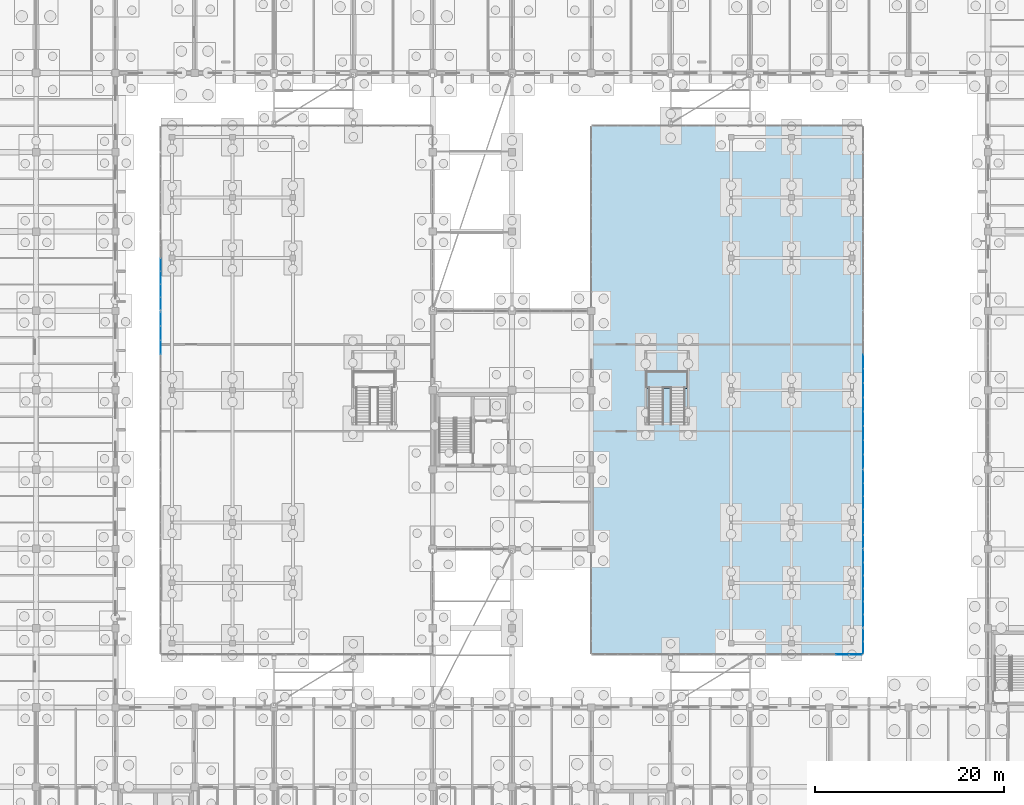
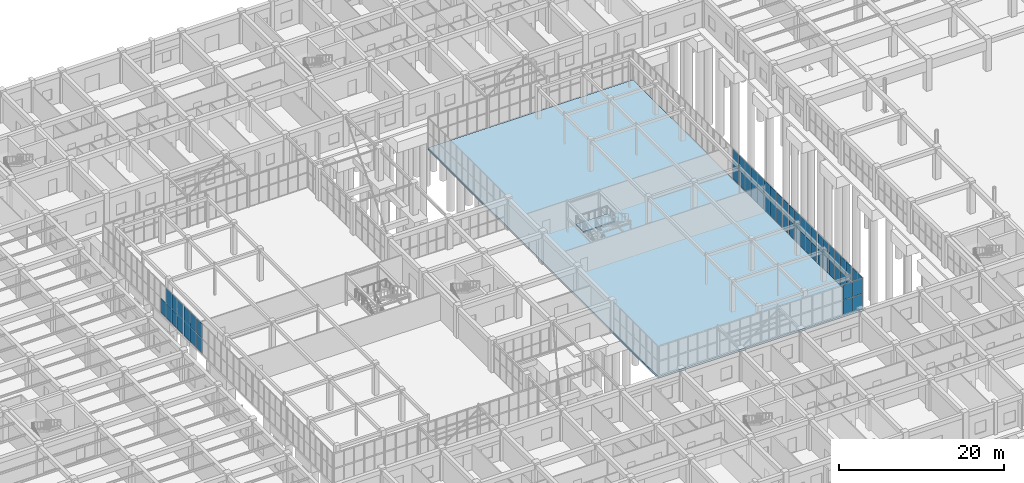
# One storey, part 139 of 192: 61 plates, 2 slabs, 8 elements without a shape of their own.
"""IFC4 building model written with IfcOpenShell, lengths in metres."""

from ifc_helpers import new_model, si_unit, direction, frame, origin, origin_2d, place, context, subcontext, project, spatial, polyline, rectangle, outline, extrude, material, layer, layer_set, type_object, element, aggregate, save


model = new_model("IFC4")

# Units and contexts
model_context = context("Model", 3, precision=1e-05, world=origin(), true_north=direction((0.0, 1.0)))
body_context = subcontext(model_context, "Body", "Model", "MODEL_VIEW")
ifc_project = project(units=[si_unit("LENGTHUNIT", "METRE"), si_unit("AREAUNIT", "SQUARE_METRE"), si_unit("VOLUMEUNIT", "CUBIC_METRE"), si_unit("PLANEANGLEUNIT", "RADIAN"), si_unit("MASSUNIT", "GRAM", prefix="KILO")], contexts=[model_context])

# Site, building, storey
site_placement = place(None, origin())
site = spatial("IfcSite", under=ifc_project, at=site_placement, CompositionType="ELEMENT")
building_placement = place(site_placement, origin())
building = spatial("IfcBuilding", under=site, at=building_placement, Name="Trelvath General Hospital", CompositionType="ELEMENT")
storey_placement = place(building_placement, origin())
storey = spatial("IfcBuildingStorey", under=building, at=storey_placement, Name="L00", CompositionType="ELEMENT", Elevation=0.0)

# Slab
ifc_material_1 = material(Name="Concrete C35/45", Category="concrete")
ifc_layer_1 = layer(ifc_material_1, 0.300048828125)
ifc_layer_set_1 = layer_set([ifc_layer_1], Name="Concrete C35/45")
slab_type_1 = type_object("IfcSlabType", Name="BaseSlab RC300", PredefinedType="BASESLAB", material=ifc_layer_set_1)
slab_1_placement = place(storey_placement, frame((0.0, 0.0, -0.300048828125)))
element("IfcSlab", 1, at=slab_1_placement, inside=storey, type_object=slab_type_1, Name="Crystal Cube Slab CUBE-E-T0 L00", PredefinedType="BASESLAB", context=body_context, shape_type="SweptSolid", body=[
    extrude(outline(polyline([(92.39990234375, 30.800048828125), (121.199951171875, 30.800048828125), (121.199951171875, 86.800048828125), (92.39990234375, 86.800048828125), (92.39990234375, 30.800048828125)])), origin(), (0.0, 0.0, 1.0), 0.300048828125),
])

# Curtain wall, plates
ifc_material_2 = material(Name="Anodised aluminium and low-E glass", Category="aluminium")
ifc_layer_2 = layer(ifc_material_2, 0.139892578125)
ifc_layer_set_2 = layer_set([ifc_layer_2], Name="Anodised aluminium and low-E glass")
curtain_wall_type_1 = type_object("IfcCurtainWallType", Name="CW CrystalCube 1664 456 14", PredefinedType="USERDEFINED", material=ifc_layer_set_2)
curtain_wall_1_placement = place(storey_placement, origin())
curtain_wall_1 = element("IfcCurtainWall", 2, at=curtain_wall_1_placement, inside=storey, type_object=curtain_wall_type_1, Name="Crystal Cube Curtain Wall CUBE-W-T0 W4 L00", ObjectType="Unitised Glazed Curtain Wall", PredefinedType="USERDEFINED")
ifc_material_3 = material(Name="Low-E laminated glass", Category="glass")
ifc_layer_3 = layer(ifc_material_3, 0.028076171875)
ifc_layer_set_3 = layer_set([ifc_layer_3], Name="Low-E laminated glass")
plate_type = type_object("IfcPlateType", Name="CurtainPanel Glass28", PredefinedType="CURTAIN_PANEL", material=ifc_layer_set_3)
plate_1_placement = place(storey_placement, frame((46.800048828125, 63.338134765625, 0.06005859375), z_axis=(0.0, 0.0, 1.0), x_axis=(0.0, 1.0, 0.0)))
plate_1 = element("IfcPlate", 3, at=plate_1_placement, type_object=plate_type, Name="CW-099 panel 9.1", PredefinedType="CURTAIN_PANEL", context=body_context, shape_type="SweptSolid", body=[
    extrude(rectangle(XDim=1.45263671875, YDim=0.028076171875, at=origin_2d()), origin(), (0.0, 0.0, 1.0), 2.18994140625),
])
plate_2_placement = place(storey_placement, frame((46.800048828125, 63.338134765625, 2.31005859375), z_axis=(0.0, 0.0, 1.0), x_axis=(0.0, 1.0, 0.0)))
plate_2 = element("IfcPlate", 4, at=plate_2_placement, type_object=plate_type, Name="CW-099 panel 9.2", PredefinedType="CURTAIN_PANEL", context=body_context, shape_type="SweptSolid", body=[
    extrude(rectangle(XDim=1.45263671875, YDim=0.028076171875, at=origin_2d()), origin(), (0.0, 0.0, 1.0), 2.18994140625),
])
plate_3_placement = place(storey_placement, frame((46.800048828125, 64.850830078125, 0.06005859375), z_axis=(0.0, 0.0, 1.0), x_axis=(0.0, 1.0, 0.0)))
plate_3 = element("IfcPlate", 5, at=plate_3_placement, type_object=plate_type, Name="CW-099 panel 10.1", PredefinedType="CURTAIN_PANEL", context=body_context, shape_type="SweptSolid", body=[
    extrude(rectangle(XDim=1.45263671875, YDim=0.028076171875, at=origin_2d()), origin(), (0.0, 0.0, 1.0), 2.18994140625),
])
plate_4_placement = place(storey_placement, frame((46.800048828125, 64.850830078125, 2.31005859375), z_axis=(0.0, 0.0, 1.0), x_axis=(0.0, 1.0, 0.0)))
plate_4 = element("IfcPlate", 6, at=plate_4_placement, type_object=plate_type, Name="CW-099 panel 10.2", PredefinedType="CURTAIN_PANEL", context=body_context, shape_type="SweptSolid", body=[
    extrude(rectangle(XDim=1.45263671875, YDim=0.028076171875, at=origin_2d()), origin(), (0.0, 0.0, 1.0), 2.18994140625),
])
plate_5_placement = place(storey_placement, frame((46.800048828125, 66.3486328125, 0.06005859375), z_axis=(0.0, 0.0, 1.0), x_axis=(0.0, 1.0, 0.0)))
plate_5 = element("IfcPlate", 7, at=plate_5_placement, type_object=plate_type, Name="CW-099 panel 11.1", PredefinedType="CURTAIN_PANEL", context=body_context, shape_type="SweptSolid", body=[
    extrude(rectangle(XDim=1.422607421875, YDim=0.028076171875, at=origin_2d()), origin(), (0.0, 0.0, 1.0), 2.18994140625),
])
plate_6_placement = place(storey_placement, frame((46.800048828125, 66.3486328125, 2.31005859375), z_axis=(0.0, 0.0, 1.0), x_axis=(0.0, 1.0, 0.0)))
plate_6 = element("IfcPlate", 8, at=plate_6_placement, type_object=plate_type, Name="CW-099 panel 11.2", PredefinedType="CURTAIN_PANEL", context=body_context, shape_type="SweptSolid", body=[
    extrude(rectangle(XDim=1.422607421875, YDim=0.028076171875, at=origin_2d()), origin(), (0.0, 0.0, 1.0), 2.18994140625),
])
aggregate(curtain_wall_1, [plate_1, plate_2, plate_3, plate_4, plate_5, plate_6])

ifc_material_4 = material(Name="Anodised aluminium and low-E glass", Category="aluminium")
ifc_layer_4 = layer(ifc_material_4, 0.139892578125)
ifc_layer_set_4 = layer_set([ifc_layer_4], Name="Anodised aluminium and low-E glass")
curtain_wall_type_2 = type_object("IfcCurtainWallType", Name="CW CrystalCube 824 456 14", PredefinedType="USERDEFINED", material=ifc_layer_set_4)
curtain_wall_2_placement = place(storey_placement, origin())
curtain_wall_2 = element("IfcCurtainWall", 9, at=curtain_wall_2_placement, inside=storey, type_object=curtain_wall_type_2, Name="Crystal Cube Curtain Wall CUBE-W-T0 W5 L00", ObjectType="Unitised Glazed Curtain Wall", PredefinedType="USERDEFINED")
plate_7_placement = place(storey_placement, frame((46.800048828125, 67.981689453125, 0.06005859375), z_axis=(0.0, 0.0, 1.0), x_axis=(0.0, 1.0, 0.0)))
plate_7 = element("IfcPlate", 10, at=plate_7_placement, type_object=plate_type, Name="CW-100 panel 1.1", PredefinedType="CURTAIN_PANEL", context=body_context, shape_type="SweptSolid", body=[
    extrude(rectangle(XDim=1.283447265625, YDim=0.028076171875, at=origin_2d()), origin(), (0.0, 0.0, 1.0), 2.18994140625),
])
plate_8_placement = place(storey_placement, frame((46.800048828125, 67.981689453125, 2.31005859375), z_axis=(0.0, 0.0, 1.0), x_axis=(0.0, 1.0, 0.0)))
plate_8 = element("IfcPlate", 11, at=plate_8_placement, type_object=plate_type, Name="CW-100 panel 1.2", PredefinedType="CURTAIN_PANEL", context=body_context, shape_type="SweptSolid", body=[
    extrude(rectangle(XDim=1.283447265625, YDim=0.028076171875, at=origin_2d()), origin(), (0.0, 0.0, 1.0), 2.18994140625),
])
plate_9_placement = place(storey_placement, frame((46.800048828125, 69.340087890625, 0.06005859375), z_axis=(0.0, 0.0, 1.0), x_axis=(0.0, 1.0, 0.0)))
plate_9 = element("IfcPlate", 12, at=plate_9_placement, type_object=plate_type, Name="CW-100 panel 2.1", PredefinedType="CURTAIN_PANEL", context=body_context, shape_type="SweptSolid", body=[
    extrude(rectangle(XDim=1.313232421875, YDim=0.028076171875, at=origin_2d()), origin(), (0.0, 0.0, 1.0), 2.18994140625),
])
plate_10_placement = place(storey_placement, frame((46.800048828125, 69.340087890625, 2.31005859375), z_axis=(0.0, 0.0, 1.0), x_axis=(0.0, 1.0, 0.0)))
plate_10 = element("IfcPlate", 13, at=plate_10_placement, type_object=plate_type, Name="CW-100 panel 2.2", PredefinedType="CURTAIN_PANEL", context=body_context, shape_type="SweptSolid", body=[
    extrude(rectangle(XDim=1.313232421875, YDim=0.028076171875, at=origin_2d()), origin(), (0.0, 0.0, 1.0), 2.18994140625),
])
plate_11_placement = place(storey_placement, frame((46.800048828125, 70.71337890625, 0.06005859375), z_axis=(0.0, 0.0, 1.0), x_axis=(0.0, 1.0, 0.0)))
plate_11 = element("IfcPlate", 14, at=plate_11_placement, type_object=plate_type, Name="CW-100 panel 3.1", PredefinedType="CURTAIN_PANEL", context=body_context, shape_type="SweptSolid", body=[
    extrude(rectangle(XDim=1.313232421875, YDim=0.028076171875, at=origin_2d()), origin(), (0.0, 0.0, 1.0), 2.18994140625),
])
plate_12_placement = place(storey_placement, frame((46.800048828125, 70.71337890625, 2.31005859375), z_axis=(0.0, 0.0, 1.0), x_axis=(0.0, 1.0, 0.0)))
plate_12 = element("IfcPlate", 15, at=plate_12_placement, type_object=plate_type, Name="CW-100 panel 3.2", PredefinedType="CURTAIN_PANEL", context=body_context, shape_type="SweptSolid", body=[
    extrude(rectangle(XDim=1.313232421875, YDim=0.028076171875, at=origin_2d()), origin(), (0.0, 0.0, 1.0), 2.18994140625),
])
plate_13_placement = place(storey_placement, frame((46.800048828125, 72.086669921875, 0.06005859375), z_axis=(0.0, 0.0, 1.0), x_axis=(0.0, 1.0, 0.0)))
plate_13 = element("IfcPlate", 16, at=plate_13_placement, type_object=plate_type, Name="CW-100 panel 4.1", PredefinedType="CURTAIN_PANEL", context=body_context, shape_type="SweptSolid", body=[
    extrude(rectangle(XDim=1.313232421875, YDim=0.028076171875, at=origin_2d()), origin(), (0.0, 0.0, 1.0), 2.18994140625),
])
aggregate(curtain_wall_2, [plate_7, plate_8, plate_9, plate_10, plate_11, plate_12, plate_13])

ifc_material_5 = material(Name="Anodised aluminium and low-E glass", Category="aluminium")
ifc_layer_5 = layer(ifc_material_5, 0.139892578125)
ifc_layer_set_5 = layer_set([ifc_layer_5], Name="Anodised aluminium and low-E glass")
curtain_wall_type_3 = type_object("IfcCurtainWallType", Name="CW CrystalCube 710 456 14", PredefinedType="USERDEFINED", material=ifc_layer_set_5)
curtain_wall_3_placement = place(storey_placement, origin())
curtain_wall_3 = element("IfcCurtainWall", 17, at=curtain_wall_3_placement, inside=storey, type_object=curtain_wall_type_3, Name="Crystal Cube Curtain Wall CUBE-E-T0 S5 L00", ObjectType="Unitised Glazed Curtain Wall", PredefinedType="USERDEFINED")
plate_14_placement = place(storey_placement, frame((120.39501953125, 30.800048828125, 0.06005859375), z_axis=(0.0, 0.0, 1.0), x_axis=(-1.0, 0.0, 0.0)))
plate_14 = element("IfcPlate", 18, at=plate_14_placement, type_object=plate_type, Name="CW-110 panel 1.1", PredefinedType="CURTAIN_PANEL", context=body_context, shape_type="SweptSolid", body=[
    extrude(rectangle(XDim=1.330078125, YDim=0.028076171875, at=origin_2d()), origin(), (0.0, 0.0, 1.0), 2.18994140625),
])
plate_15_placement = place(storey_placement, frame((120.39501953125, 30.800048828125, 2.31005859375), z_axis=(0.0, 0.0, 1.0), x_axis=(-1.0, 0.0, 0.0)))
plate_15 = element("IfcPlate", 19, at=plate_15_placement, type_object=plate_type, Name="CW-110 panel 1.2", PredefinedType="CURTAIN_PANEL", context=body_context, shape_type="SweptSolid", body=[
    extrude(rectangle(XDim=1.330078125, YDim=0.028076171875, at=origin_2d()), origin(), (0.0, 0.0, 1.0), 2.18994140625),
])
plate_16_placement = place(storey_placement, frame((118.989990234375, 30.800048828125, 0.06005859375), z_axis=(0.0, 0.0, 1.0), x_axis=(-1.0, 0.0, 0.0)))
plate_16 = element("IfcPlate", 20, at=plate_16_placement, type_object=plate_type, Name="CW-110 panel 2.1", PredefinedType="CURTAIN_PANEL", context=body_context, shape_type="SweptSolid", body=[
    extrude(rectangle(XDim=1.360107421875, YDim=0.028076171875, at=origin_2d()), origin(), (0.0, 0.0, 1.0), 2.18994140625),
])
plate_17_placement = place(storey_placement, frame((118.989990234375, 30.800048828125, 2.31005859375), z_axis=(0.0, 0.0, 1.0), x_axis=(-1.0, 0.0, 0.0)))
plate_17 = element("IfcPlate", 21, at=plate_17_placement, type_object=plate_type, Name="CW-110 panel 2.2", PredefinedType="CURTAIN_PANEL", context=body_context, shape_type="SweptSolid", body=[
    extrude(rectangle(XDim=1.360107421875, YDim=0.028076171875, at=origin_2d()), origin(), (0.0, 0.0, 1.0), 2.18994140625),
])
aggregate(curtain_wall_3, [plate_14, plate_15, plate_16, plate_17])

ifc_material_6 = material(Name="Anodised aluminium and low-E glass", Category="aluminium")
ifc_layer_6 = layer(ifc_material_6, 0.139892578125)
ifc_layer_set_6 = layer_set([ifc_layer_6], Name="Anodised aluminium and low-E glass")
curtain_wall_type_4 = type_object("IfcCurtainWallType", Name="CW CrystalCube 264 456 14", PredefinedType="USERDEFINED", material=ifc_layer_set_6)
curtain_wall_4_placement = place(storey_placement, origin())
curtain_wall_4 = element("IfcCurtainWall", 22, at=curtain_wall_4_placement, inside=storey, type_object=curtain_wall_type_4, Name="Crystal Cube Curtain Wall CUBE-E-T0 E1 L00", ObjectType="Unitised Glazed Curtain Wall", PredefinedType="USERDEFINED")
plate_18_placement = place(storey_placement, frame((121.199951171875, 32.844970703125, 0.06005859375), z_axis=(0.0, 0.0, 1.0), x_axis=(0.0, -1.0, 0.0)))
plate_18 = element("IfcPlate", 23, at=plate_18_placement, type_object=plate_type, Name="CW-116 panel 1.1", PredefinedType="CURTAIN_PANEL", context=body_context, shape_type="SweptSolid", body=[
    extrude(rectangle(XDim=1.22998046875, YDim=0.028076171875, at=origin_2d()), origin(), (0.0, 0.0, 1.0), 2.18994140625),
])
plate_19_placement = place(storey_placement, frame((121.199951171875, 32.844970703125, 2.31005859375), z_axis=(0.0, 0.0, 1.0), x_axis=(0.0, -1.0, 0.0)))
plate_19 = element("IfcPlate", 24, at=plate_19_placement, type_object=plate_type, Name="CW-116 panel 1.2", PredefinedType="CURTAIN_PANEL", context=body_context, shape_type="SweptSolid", body=[
    extrude(rectangle(XDim=1.22998046875, YDim=0.028076171875, at=origin_2d()), origin(), (0.0, 0.0, 1.0), 2.18994140625),
])
plate_20_placement = place(storey_placement, frame((121.199951171875, 31.554931640625, 0.06005859375), z_axis=(0.0, 0.0, 1.0), x_axis=(0.0, -1.0, 0.0)))
plate_20 = element("IfcPlate", 25, at=plate_20_placement, type_object=plate_type, Name="CW-116 panel 2.1", PredefinedType="CURTAIN_PANEL", context=body_context, shape_type="SweptSolid", body=[
    extrude(rectangle(XDim=1.22998046875, YDim=0.028076171875, at=origin_2d()), origin(), (0.0, 0.0, 1.0), 2.18994140625),
])
plate_21_placement = place(storey_placement, frame((121.199951171875, 31.554931640625, 2.31005859375), z_axis=(0.0, 0.0, 1.0), x_axis=(0.0, -1.0, 0.0)))
plate_21 = element("IfcPlate", 26, at=plate_21_placement, type_object=plate_type, Name="CW-116 panel 2.2", PredefinedType="CURTAIN_PANEL", context=body_context, shape_type="SweptSolid", body=[
    extrude(rectangle(XDim=1.22998046875, YDim=0.028076171875, at=origin_2d()), origin(), (0.0, 0.0, 1.0), 2.18994140625),
])
aggregate(curtain_wall_4, [plate_18, plate_19, plate_20, plate_21])

curtain_wall_5_placement = place(storey_placement, origin())
curtain_wall_5 = element("IfcCurtainWall", 27, at=curtain_wall_5_placement, inside=storey, type_object=curtain_wall_type_2, Name="Crystal Cube Curtain Wall CUBE-E-T0 E2 L00", ObjectType="Unitised Glazed Curtain Wall", PredefinedType="USERDEFINED")
plate_22_placement = place(storey_placement, frame((121.199951171875, 41.21826171875, 0.06005859375), z_axis=(0.0, 0.0, 1.0), x_axis=(0.0, -1.0, 0.0)))
plate_22 = element("IfcPlate", 28, at=plate_22_placement, type_object=plate_type, Name="CW-118 panel 1.1", PredefinedType="CURTAIN_PANEL", context=body_context, shape_type="SweptSolid", body=[
    extrude(rectangle(XDim=1.283447265625, YDim=0.028076171875, at=origin_2d()), origin(), (0.0, 0.0, 1.0), 2.18994140625),
])
plate_23_placement = place(storey_placement, frame((121.199951171875, 41.21826171875, 2.31005859375), z_axis=(0.0, 0.0, 1.0), x_axis=(0.0, -1.0, 0.0)))
plate_23 = element("IfcPlate", 29, at=plate_23_placement, type_object=plate_type, Name="CW-118 panel 1.2", PredefinedType="CURTAIN_PANEL", context=body_context, shape_type="SweptSolid", body=[
    extrude(rectangle(XDim=1.283447265625, YDim=0.028076171875, at=origin_2d()), origin(), (0.0, 0.0, 1.0), 2.18994140625),
])
plate_24_placement = place(storey_placement, frame((121.199951171875, 39.860107421875, 0.06005859375), z_axis=(0.0, 0.0, 1.0), x_axis=(0.0, -1.0, 0.0)))
plate_24 = element("IfcPlate", 30, at=plate_24_placement, type_object=plate_type, Name="CW-118 panel 2.1", PredefinedType="CURTAIN_PANEL", context=body_context, shape_type="SweptSolid", body=[
    extrude(rectangle(XDim=1.313232421875, YDim=0.028076171875, at=origin_2d()), origin(), (0.0, 0.0, 1.0), 2.18994140625),
])
plate_25_placement = place(storey_placement, frame((121.199951171875, 39.860107421875, 2.31005859375), z_axis=(0.0, 0.0, 1.0), x_axis=(0.0, -1.0, 0.0)))
plate_25 = element("IfcPlate", 31, at=plate_25_placement, type_object=plate_type, Name="CW-118 panel 2.2", PredefinedType="CURTAIN_PANEL", context=body_context, shape_type="SweptSolid", body=[
    extrude(rectangle(XDim=1.313232421875, YDim=0.028076171875, at=origin_2d()), origin(), (0.0, 0.0, 1.0), 2.18994140625),
])
plate_26_placement = place(storey_placement, frame((121.199951171875, 38.486572265625, 0.06005859375), z_axis=(0.0, 0.0, 1.0), x_axis=(0.0, -1.0, 0.0)))
plate_26 = element("IfcPlate", 32, at=plate_26_placement, type_object=plate_type, Name="CW-118 panel 3.1", PredefinedType="CURTAIN_PANEL", context=body_context, shape_type="SweptSolid", body=[
    extrude(rectangle(XDim=1.313232421875, YDim=0.028076171875, at=origin_2d()), origin(), (0.0, 0.0, 1.0), 2.18994140625),
])
plate_27_placement = place(storey_placement, frame((121.199951171875, 38.486572265625, 2.31005859375), z_axis=(0.0, 0.0, 1.0), x_axis=(0.0, -1.0, 0.0)))
plate_27 = element("IfcPlate", 33, at=plate_27_placement, type_object=plate_type, Name="CW-118 panel 3.2", PredefinedType="CURTAIN_PANEL", context=body_context, shape_type="SweptSolid", body=[
    extrude(rectangle(XDim=1.313232421875, YDim=0.028076171875, at=origin_2d()), origin(), (0.0, 0.0, 1.0), 2.18994140625),
])
plate_28_placement = place(storey_placement, frame((121.199951171875, 37.11328125, 0.06005859375), z_axis=(0.0, 0.0, 1.0), x_axis=(0.0, -1.0, 0.0)))
plate_28 = element("IfcPlate", 34, at=plate_28_placement, type_object=plate_type, Name="CW-118 panel 4.1", PredefinedType="CURTAIN_PANEL", context=body_context, shape_type="SweptSolid", body=[
    extrude(rectangle(XDim=1.313232421875, YDim=0.028076171875, at=origin_2d()), origin(), (0.0, 0.0, 1.0), 2.18994140625),
])
plate_29_placement = place(storey_placement, frame((121.199951171875, 37.11328125, 2.31005859375), z_axis=(0.0, 0.0, 1.0), x_axis=(0.0, -1.0, 0.0)))
plate_29 = element("IfcPlate", 35, at=plate_29_placement, type_object=plate_type, Name="CW-118 panel 4.2", PredefinedType="CURTAIN_PANEL", context=body_context, shape_type="SweptSolid", body=[
    extrude(rectangle(XDim=1.313232421875, YDim=0.028076171875, at=origin_2d()), origin(), (0.0, 0.0, 1.0), 2.18994140625),
])
plate_30_placement = place(storey_placement, frame((121.199951171875, 35.739990234375, 0.06005859375), z_axis=(0.0, 0.0, 1.0), x_axis=(0.0, -1.0, 0.0)))
plate_30 = element("IfcPlate", 36, at=plate_30_placement, type_object=plate_type, Name="CW-118 panel 5.1", PredefinedType="CURTAIN_PANEL", context=body_context, shape_type="SweptSolid", body=[
    extrude(rectangle(XDim=1.313232421875, YDim=0.028076171875, at=origin_2d()), origin(), (0.0, 0.0, 1.0), 2.18994140625),
])
plate_31_placement = place(storey_placement, frame((121.199951171875, 35.739990234375, 2.31005859375), z_axis=(0.0, 0.0, 1.0), x_axis=(0.0, -1.0, 0.0)))
plate_31 = element("IfcPlate", 37, at=plate_31_placement, type_object=plate_type, Name="CW-118 panel 5.2", PredefinedType="CURTAIN_PANEL", context=body_context, shape_type="SweptSolid", body=[
    extrude(rectangle(XDim=1.313232421875, YDim=0.028076171875, at=origin_2d()), origin(), (0.0, 0.0, 1.0), 2.18994140625),
])
plate_32_placement = place(storey_placement, frame((121.199951171875, 34.381591796875, 0.06005859375), z_axis=(0.0, 0.0, 1.0), x_axis=(0.0, -1.0, 0.0)))
plate_32 = element("IfcPlate", 38, at=plate_32_placement, type_object=plate_type, Name="CW-118 panel 6.1", PredefinedType="CURTAIN_PANEL", context=body_context, shape_type="SweptSolid", body=[
    extrude(rectangle(XDim=1.283447265625, YDim=0.028076171875, at=origin_2d()), origin(), (0.0, 0.0, 1.0), 2.18994140625),
])
plate_33_placement = place(storey_placement, frame((121.199951171875, 34.381591796875, 2.31005859375), z_axis=(0.0, 0.0, 1.0), x_axis=(0.0, -1.0, 0.0)))
plate_33 = element("IfcPlate", 39, at=plate_33_placement, type_object=plate_type, Name="CW-118 panel 6.2", PredefinedType="CURTAIN_PANEL", context=body_context, shape_type="SweptSolid", body=[
    extrude(rectangle(XDim=1.283447265625, YDim=0.028076171875, at=origin_2d()), origin(), (0.0, 0.0, 1.0), 2.18994140625),
])
aggregate(curtain_wall_5, [plate_22, plate_23, plate_24, plate_25, plate_26, plate_27, plate_28, plate_29, plate_30, plate_31, plate_32, plate_33])

curtain_wall_6_placement = place(storey_placement, origin())
curtain_wall_6 = element("IfcCurtainWall", 40, at=curtain_wall_6_placement, inside=storey, type_object=curtain_wall_type_2, Name="Crystal Cube Curtain Wall CUBE-E-T0 E3 L00", ObjectType="Unitised Glazed Curtain Wall", PredefinedType="USERDEFINED")
plate_34_placement = place(storey_placement, frame((121.199951171875, 49.618408203125, 0.06005859375), z_axis=(0.0, 0.0, 1.0), x_axis=(0.0, -1.0, 0.0)))
plate_34 = element("IfcPlate", 41, at=plate_34_placement, type_object=plate_type, Name="CW-120 panel 1.1", PredefinedType="CURTAIN_PANEL", context=body_context, shape_type="SweptSolid", body=[
    extrude(rectangle(XDim=1.283447265625, YDim=0.028076171875, at=origin_2d()), origin(), (0.0, 0.0, 1.0), 2.18994140625),
])
plate_35_placement = place(storey_placement, frame((121.199951171875, 49.618408203125, 2.31005859375), z_axis=(0.0, 0.0, 1.0), x_axis=(0.0, -1.0, 0.0)))
plate_35 = element("IfcPlate", 42, at=plate_35_placement, type_object=plate_type, Name="CW-120 panel 1.2", PredefinedType="CURTAIN_PANEL", context=body_context, shape_type="SweptSolid", body=[
    extrude(rectangle(XDim=1.283447265625, YDim=0.028076171875, at=origin_2d()), origin(), (0.0, 0.0, 1.0), 2.18994140625),
])
plate_36_placement = place(storey_placement, frame((121.199951171875, 48.260009765625, 0.06005859375), z_axis=(0.0, 0.0, 1.0), x_axis=(0.0, -1.0, 0.0)))
plate_36 = element("IfcPlate", 43, at=plate_36_placement, type_object=plate_type, Name="CW-120 panel 2.1", PredefinedType="CURTAIN_PANEL", context=body_context, shape_type="SweptSolid", body=[
    extrude(rectangle(XDim=1.313232421875, YDim=0.028076171875, at=origin_2d()), origin(), (0.0, 0.0, 1.0), 2.18994140625),
])
plate_37_placement = place(storey_placement, frame((121.199951171875, 48.260009765625, 2.31005859375), z_axis=(0.0, 0.0, 1.0), x_axis=(0.0, -1.0, 0.0)))
plate_37 = element("IfcPlate", 44, at=plate_37_placement, type_object=plate_type, Name="CW-120 panel 2.2", PredefinedType="CURTAIN_PANEL", context=body_context, shape_type="SweptSolid", body=[
    extrude(rectangle(XDim=1.313232421875, YDim=0.028076171875, at=origin_2d()), origin(), (0.0, 0.0, 1.0), 2.18994140625),
])
plate_38_placement = place(storey_placement, frame((121.199951171875, 46.88671875, 0.06005859375), z_axis=(0.0, 0.0, 1.0), x_axis=(0.0, -1.0, 0.0)))
plate_38 = element("IfcPlate", 45, at=plate_38_placement, type_object=plate_type, Name="CW-120 panel 3.1", PredefinedType="CURTAIN_PANEL", context=body_context, shape_type="SweptSolid", body=[
    extrude(rectangle(XDim=1.313232421875, YDim=0.028076171875, at=origin_2d()), origin(), (0.0, 0.0, 1.0), 2.18994140625),
])
plate_39_placement = place(storey_placement, frame((121.199951171875, 46.88671875, 2.31005859375), z_axis=(0.0, 0.0, 1.0), x_axis=(0.0, -1.0, 0.0)))
plate_39 = element("IfcPlate", 46, at=plate_39_placement, type_object=plate_type, Name="CW-120 panel 3.2", PredefinedType="CURTAIN_PANEL", context=body_context, shape_type="SweptSolid", body=[
    extrude(rectangle(XDim=1.313232421875, YDim=0.028076171875, at=origin_2d()), origin(), (0.0, 0.0, 1.0), 2.18994140625),
])
plate_40_placement = place(storey_placement, frame((121.199951171875, 45.513427734375, 0.06005859375), z_axis=(0.0, 0.0, 1.0), x_axis=(0.0, -1.0, 0.0)))
plate_40 = element("IfcPlate", 47, at=plate_40_placement, type_object=plate_type, Name="CW-120 panel 4.1", PredefinedType="CURTAIN_PANEL", context=body_context, shape_type="SweptSolid", body=[
    extrude(rectangle(XDim=1.313232421875, YDim=0.028076171875, at=origin_2d()), origin(), (0.0, 0.0, 1.0), 2.18994140625),
])
plate_41_placement = place(storey_placement, frame((121.199951171875, 45.513427734375, 2.31005859375), z_axis=(0.0, 0.0, 1.0), x_axis=(0.0, -1.0, 0.0)))
plate_41 = element("IfcPlate", 48, at=plate_41_placement, type_object=plate_type, Name="CW-120 panel 4.2", PredefinedType="CURTAIN_PANEL", context=body_context, shape_type="SweptSolid", body=[
    extrude(rectangle(XDim=1.313232421875, YDim=0.028076171875, at=origin_2d()), origin(), (0.0, 0.0, 1.0), 2.18994140625),
])
plate_42_placement = place(storey_placement, frame((121.199951171875, 44.139892578125, 0.06005859375), z_axis=(0.0, 0.0, 1.0), x_axis=(0.0, -1.0, 0.0)))
plate_42 = element("IfcPlate", 49, at=plate_42_placement, type_object=plate_type, Name="CW-120 panel 5.1", PredefinedType="CURTAIN_PANEL", context=body_context, shape_type="SweptSolid", body=[
    extrude(rectangle(XDim=1.313232421875, YDim=0.028076171875, at=origin_2d()), origin(), (0.0, 0.0, 1.0), 2.18994140625),
])
plate_43_placement = place(storey_placement, frame((121.199951171875, 44.139892578125, 2.31005859375), z_axis=(0.0, 0.0, 1.0), x_axis=(0.0, -1.0, 0.0)))
plate_43 = element("IfcPlate", 50, at=plate_43_placement, type_object=plate_type, Name="CW-120 panel 5.2", PredefinedType="CURTAIN_PANEL", context=body_context, shape_type="SweptSolid", body=[
    extrude(rectangle(XDim=1.313232421875, YDim=0.028076171875, at=origin_2d()), origin(), (0.0, 0.0, 1.0), 2.18994140625),
])
plate_44_placement = place(storey_placement, frame((121.199951171875, 42.78173828125, 0.06005859375), z_axis=(0.0, 0.0, 1.0), x_axis=(0.0, -1.0, 0.0)))
plate_44 = element("IfcPlate", 51, at=plate_44_placement, type_object=plate_type, Name="CW-120 panel 6.1", PredefinedType="CURTAIN_PANEL", context=body_context, shape_type="SweptSolid", body=[
    extrude(rectangle(XDim=1.283447265625, YDim=0.028076171875, at=origin_2d()), origin(), (0.0, 0.0, 1.0), 2.18994140625),
])
plate_45_placement = place(storey_placement, frame((121.199951171875, 42.78173828125, 2.31005859375), z_axis=(0.0, 0.0, 1.0), x_axis=(0.0, -1.0, 0.0)))
plate_45 = element("IfcPlate", 52, at=plate_45_placement, type_object=plate_type, Name="CW-120 panel 6.2", PredefinedType="CURTAIN_PANEL", context=body_context, shape_type="SweptSolid", body=[
    extrude(rectangle(XDim=1.283447265625, YDim=0.028076171875, at=origin_2d()), origin(), (0.0, 0.0, 1.0), 2.18994140625),
])
aggregate(curtain_wall_6, [plate_34, plate_35, plate_36, plate_37, plate_38, plate_39, plate_40, plate_41, plate_42, plate_43, plate_44, plate_45])

curtain_wall_7_placement = place(storey_placement, origin())
curtain_wall_7 = element("IfcCurtainWall", 53, at=curtain_wall_7_placement, inside=storey, type_object=curtain_wall_type_1, Name="Crystal Cube Curtain Wall CUBE-E-T0 E4 L00", ObjectType="Unitised Glazed Curtain Wall", PredefinedType="USERDEFINED")
plate_46_placement = place(storey_placement, frame((121.199951171875, 61.825439453125, 0.06005859375), z_axis=(0.0, 0.0, 1.0), x_axis=(0.0, -1.0, 0.0)))
plate_46 = element("IfcPlate", 54, at=plate_46_placement, type_object=plate_type, Name="CW-121 panel 4.1", PredefinedType="CURTAIN_PANEL", context=body_context, shape_type="SweptSolid", body=[
    extrude(rectangle(XDim=1.45263671875, YDim=0.028076171875, at=origin_2d()), origin(), (0.0, 0.0, 1.0), 2.18994140625),
])
plate_47_placement = place(storey_placement, frame((121.199951171875, 61.825439453125, 2.31005859375), z_axis=(0.0, 0.0, 1.0), x_axis=(0.0, -1.0, 0.0)))
plate_47 = element("IfcPlate", 55, at=plate_47_placement, type_object=plate_type, Name="CW-121 panel 4.2", PredefinedType="CURTAIN_PANEL", context=body_context, shape_type="SweptSolid", body=[
    extrude(rectangle(XDim=1.45263671875, YDim=0.028076171875, at=origin_2d()), origin(), (0.0, 0.0, 1.0), 2.18994140625),
])
plate_48_placement = place(storey_placement, frame((121.199951171875, 60.312744140625, 0.06005859375), z_axis=(0.0, 0.0, 1.0), x_axis=(0.0, -1.0, 0.0)))
plate_48 = element("IfcPlate", 56, at=plate_48_placement, type_object=plate_type, Name="CW-121 panel 5.1", PredefinedType="CURTAIN_PANEL", context=body_context, shape_type="SweptSolid", body=[
    extrude(rectangle(XDim=1.45263671875, YDim=0.028076171875, at=origin_2d()), origin(), (0.0, 0.0, 1.0), 2.18994140625),
])
plate_49_placement = place(storey_placement, frame((121.199951171875, 60.312744140625, 2.31005859375), z_axis=(0.0, 0.0, 1.0), x_axis=(0.0, -1.0, 0.0)))
plate_49 = element("IfcPlate", 57, at=plate_49_placement, type_object=plate_type, Name="CW-121 panel 5.2", PredefinedType="CURTAIN_PANEL", context=body_context, shape_type="SweptSolid", body=[
    extrude(rectangle(XDim=1.45263671875, YDim=0.028076171875, at=origin_2d()), origin(), (0.0, 0.0, 1.0), 2.18994140625),
])
plate_50_placement = place(storey_placement, frame((121.199951171875, 58.800048828125, 0.06005859375), z_axis=(0.0, 0.0, 1.0), x_axis=(0.0, -1.0, 0.0)))
plate_50 = element("IfcPlate", 58, at=plate_50_placement, type_object=plate_type, Name="CW-121 panel 6.1", PredefinedType="CURTAIN_PANEL", context=body_context, shape_type="SweptSolid", body=[
    extrude(rectangle(XDim=1.45263671875, YDim=0.028076171875, at=origin_2d()), origin(), (0.0, 0.0, 1.0), 2.18994140625),
])
plate_51_placement = place(storey_placement, frame((121.199951171875, 58.800048828125, 2.31005859375), z_axis=(0.0, 0.0, 1.0), x_axis=(0.0, -1.0, 0.0)))
plate_51 = element("IfcPlate", 59, at=plate_51_placement, type_object=plate_type, Name="CW-121 panel 6.2", PredefinedType="CURTAIN_PANEL", context=body_context, shape_type="SweptSolid", body=[
    extrude(rectangle(XDim=1.45263671875, YDim=0.028076171875, at=origin_2d()), origin(), (0.0, 0.0, 1.0), 2.18994140625),
])
plate_52_placement = place(storey_placement, frame((121.199951171875, 57.287353515625, 0.06005859375), z_axis=(0.0, 0.0, 1.0), x_axis=(0.0, -1.0, 0.0)))
plate_52 = element("IfcPlate", 60, at=plate_52_placement, type_object=plate_type, Name="CW-121 panel 7.1", PredefinedType="CURTAIN_PANEL", context=body_context, shape_type="SweptSolid", body=[
    extrude(rectangle(XDim=1.45263671875, YDim=0.028076171875, at=origin_2d()), origin(), (0.0, 0.0, 1.0), 2.18994140625),
])
plate_53_placement = place(storey_placement, frame((121.199951171875, 57.287353515625, 2.31005859375), z_axis=(0.0, 0.0, 1.0), x_axis=(0.0, -1.0, 0.0)))
plate_53 = element("IfcPlate", 61, at=plate_53_placement, type_object=plate_type, Name="CW-121 panel 7.2", PredefinedType="CURTAIN_PANEL", context=body_context, shape_type="SweptSolid", body=[
    extrude(rectangle(XDim=1.45263671875, YDim=0.028076171875, at=origin_2d()), origin(), (0.0, 0.0, 1.0), 2.18994140625),
])
plate_54_placement = place(storey_placement, frame((121.199951171875, 55.774658203125, 0.06005859375), z_axis=(0.0, 0.0, 1.0), x_axis=(0.0, -1.0, 0.0)))
plate_54 = element("IfcPlate", 62, at=plate_54_placement, type_object=plate_type, Name="CW-121 panel 8.1", PredefinedType="CURTAIN_PANEL", context=body_context, shape_type="SweptSolid", body=[
    extrude(rectangle(XDim=1.45263671875, YDim=0.028076171875, at=origin_2d()), origin(), (0.0, 0.0, 1.0), 2.18994140625),
])
plate_55_placement = place(storey_placement, frame((121.199951171875, 55.774658203125, 2.31005859375), z_axis=(0.0, 0.0, 1.0), x_axis=(0.0, -1.0, 0.0)))
plate_55 = element("IfcPlate", 63, at=plate_55_placement, type_object=plate_type, Name="CW-121 panel 8.2", PredefinedType="CURTAIN_PANEL", context=body_context, shape_type="SweptSolid", body=[
    extrude(rectangle(XDim=1.45263671875, YDim=0.028076171875, at=origin_2d()), origin(), (0.0, 0.0, 1.0), 2.18994140625),
])
plate_56_placement = place(storey_placement, frame((121.199951171875, 54.26171875, 0.06005859375), z_axis=(0.0, 0.0, 1.0), x_axis=(0.0, -1.0, 0.0)))
plate_56 = element("IfcPlate", 64, at=plate_56_placement, type_object=plate_type, Name="CW-121 panel 9.1", PredefinedType="CURTAIN_PANEL", context=body_context, shape_type="SweptSolid", body=[
    extrude(rectangle(XDim=1.45263671875, YDim=0.028076171875, at=origin_2d()), origin(), (0.0, 0.0, 1.0), 2.18994140625),
])
plate_57_placement = place(storey_placement, frame((121.199951171875, 54.26171875, 2.31005859375), z_axis=(0.0, 0.0, 1.0), x_axis=(0.0, -1.0, 0.0)))
plate_57 = element("IfcPlate", 65, at=plate_57_placement, type_object=plate_type, Name="CW-121 panel 9.2", PredefinedType="CURTAIN_PANEL", context=body_context, shape_type="SweptSolid", body=[
    extrude(rectangle(XDim=1.45263671875, YDim=0.028076171875, at=origin_2d()), origin(), (0.0, 0.0, 1.0), 2.18994140625),
])
plate_58_placement = place(storey_placement, frame((121.199951171875, 52.7490234375, 0.06005859375), z_axis=(0.0, 0.0, 1.0), x_axis=(0.0, -1.0, 0.0)))
plate_58 = element("IfcPlate", 66, at=plate_58_placement, type_object=plate_type, Name="CW-121 panel 10.1", PredefinedType="CURTAIN_PANEL", context=body_context, shape_type="SweptSolid", body=[
    extrude(rectangle(XDim=1.45263671875, YDim=0.028076171875, at=origin_2d()), origin(), (0.0, 0.0, 1.0), 2.18994140625),
])
plate_59_placement = place(storey_placement, frame((121.199951171875, 52.7490234375, 2.31005859375), z_axis=(0.0, 0.0, 1.0), x_axis=(0.0, -1.0, 0.0)))
plate_59 = element("IfcPlate", 67, at=plate_59_placement, type_object=plate_type, Name="CW-121 panel 10.2", PredefinedType="CURTAIN_PANEL", context=body_context, shape_type="SweptSolid", body=[
    extrude(rectangle(XDim=1.45263671875, YDim=0.028076171875, at=origin_2d()), origin(), (0.0, 0.0, 1.0), 2.18994140625),
])
plate_60_placement = place(storey_placement, frame((121.199951171875, 51.25146484375, 0.06005859375), z_axis=(0.0, 0.0, 1.0), x_axis=(0.0, -1.0, 0.0)))
plate_60 = element("IfcPlate", 68, at=plate_60_placement, type_object=plate_type, Name="CW-121 panel 11.1", PredefinedType="CURTAIN_PANEL", context=body_context, shape_type="SweptSolid", body=[
    extrude(rectangle(XDim=1.422607421875, YDim=0.028076171875, at=origin_2d()), origin(), (0.0, 0.0, 1.0), 2.18994140625),
])
plate_61_placement = place(storey_placement, frame((121.199951171875, 51.25146484375, 2.31005859375), z_axis=(0.0, 0.0, 1.0), x_axis=(0.0, -1.0, 0.0)))
plate_61 = element("IfcPlate", 69, at=plate_61_placement, type_object=plate_type, Name="CW-121 panel 11.2", PredefinedType="CURTAIN_PANEL", context=body_context, shape_type="SweptSolid", body=[
    extrude(rectangle(XDim=1.422607421875, YDim=0.028076171875, at=origin_2d()), origin(), (0.0, 0.0, 1.0), 2.18994140625),
])
aggregate(curtain_wall_7, [plate_46, plate_47, plate_48, plate_49, plate_50, plate_51, plate_52, plate_53, plate_54, plate_55, plate_56, plate_57, plate_58, plate_59, plate_60, plate_61])

# Stair, slab
ifc_material_7 = material(Name="Concrete C35/45", Category="concrete")
stair_type = type_object("IfcStairType", Name="Stair PublicCube480", PredefinedType="TWO_STRAIGHT_RUN_STAIR", material=ifc_material_7)
stair_placement = place(storey_placement, origin())
stair = element("IfcStair", 70, at=stair_placement, inside=storey, type_object=stair_type, Name="Public Cube Feature Stair ST10 L00", PredefinedType="TWO_STRAIGHT_RUN_STAIR")
ifc_material_8 = material(Name="Concrete C35/45", Category="concrete")
ifc_layer_7 = layer(ifc_material_8, 0.199951171875)
ifc_layer_set_7 = layer_set([ifc_layer_7], Name="Concrete C35/45")
slab_type_2 = type_object("IfcSlabType", Name="StairLanding 200", PredefinedType="LANDING", material=ifc_layer_set_7)
slab_2_placement = place(storey_placement, frame((0.0, 0.0, 2.199951171875)))
slab_2 = element("IfcSlab", 71, at=slab_2_placement, type_object=slab_type_2, Name="ST10-L00 landing 1", PredefinedType="LANDING", context=body_context, shape_type="SweptSolid", body=[
    extrude(outline(polyline([(98.199951171875, 58.989990234375), (102.60009765625, 58.989990234375), (102.60009765625, 60.820068359375), (98.199951171875, 60.820068359375), (98.199951171875, 58.989990234375)])), origin(), (0.0, 0.0, 1.0), 0.199951171875),
])
aggregate(stair, [slab_2])

save(model, "model.ifc")
